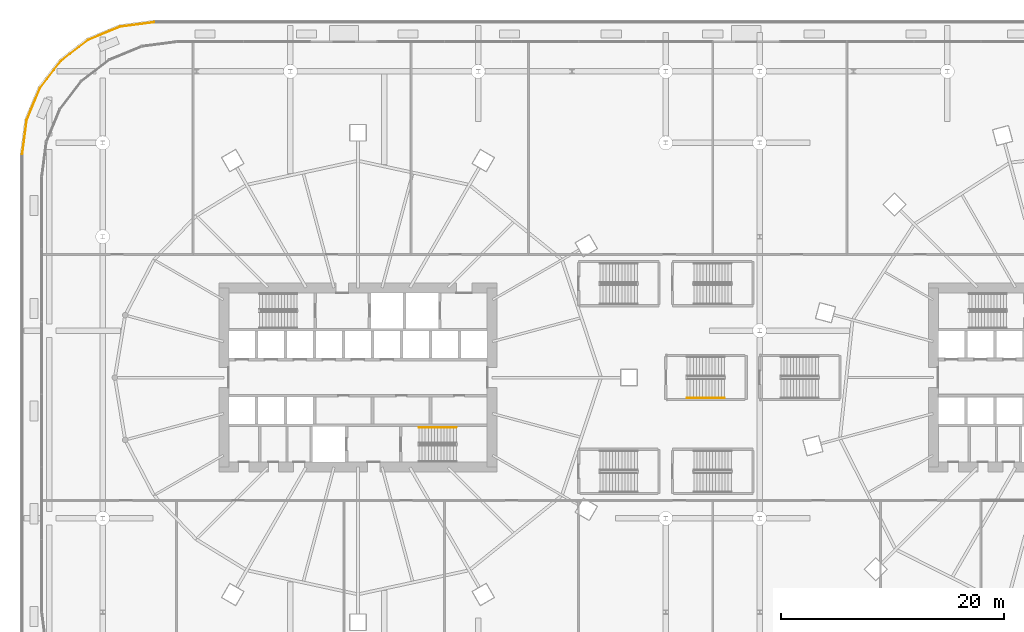
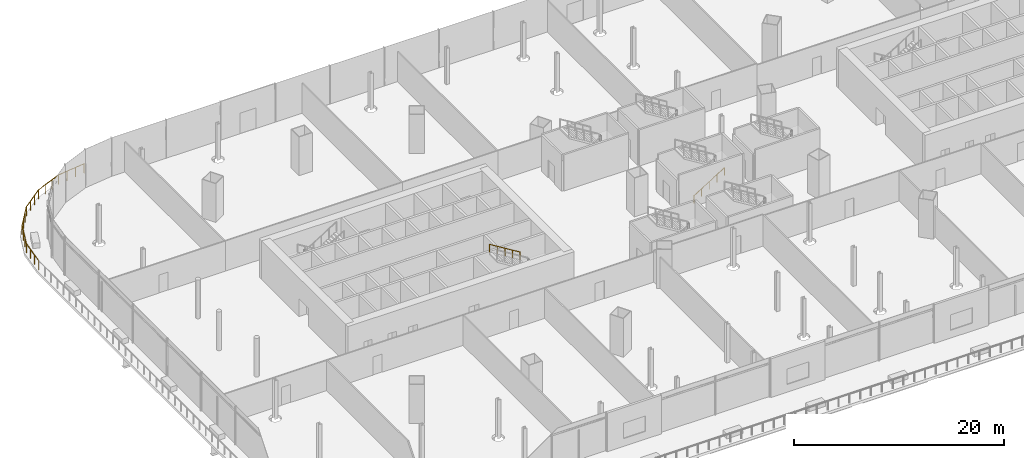
# One storey, part 50 of 56: 3 railings.
"""IFC4 building model written with IfcOpenShell, lengths in metres."""

from ifc_helpers import new_model, si_unit, direction, frame, origin, origin_2d, place, context, subcontext, project, spatial, circle, extrude, material, type_object, element, save


model = new_model("IFC4")

# Units and contexts
model_context = context("Model", 3, precision=1e-05, world=origin(), true_north=direction((0.0, 1.0)))
body_context = subcontext(model_context, "Body", "Model", "MODEL_VIEW")
ifc_project = project(units=[si_unit("LENGTHUNIT", "METRE"), si_unit("AREAUNIT", "SQUARE_METRE"), si_unit("VOLUMEUNIT", "CUBIC_METRE"), si_unit("PLANEANGLEUNIT", "RADIAN"), si_unit("MASSUNIT", "GRAM", prefix="KILO")], contexts=[model_context])

# Site, building, storey
site_placement = place(None, origin())
site = spatial("IfcSite", under=ifc_project, at=site_placement, CompositionType="ELEMENT")
building_placement = place(site_placement, origin())
building = spatial("IfcBuilding", under=site, at=building_placement, Name="Rimbun Link Towers", CompositionType="ELEMENT")
storey_placement = place(building_placement, frame((0.0, 0.0, 16.5)))
storey = spatial("IfcBuildingStorey", under=building, at=storey_placement, Name="L03", CompositionType="ELEMENT", Elevation=16.5)

# Railings
ifc_material_1 = material(Name="Toughened laminated glass, stainless steel grade 316 posts and cap rail", Category="steel")
railing_type_1 = type_object("IfcRailingType", Name="GUARD glass balustrade with stainless cap rail", PredefinedType="BALUSTRADE", material=ifc_material_1)
railing_1_placement = place(storey_placement, frame((-49.98681640625, 31.800048828125, 0.0)))
element("IfcRailing", 1, at=railing_1_placement, inside=storey, type_object=railing_type_1, Name="GUARD glass balustrade", PredefinedType="BALUSTRADE", context=body_context, shape_type="SweptSolid", body=[
    extrude(circle(Radius=0.02392578125, at=origin_2d()), frame((0.0, 0.0, 1.076171875), z_axis=(-0.991443009305, -0.130540259305, 0.0), x_axis=(0.130540259305, -0.991443009305, 0.0)), (0.0, 0.0, 1.0), 3.09326171875),
    extrude(circle(Radius=0.02392578125, at=origin_2d()), frame((-3.06689453125, -0.40380859375, 1.076171875), z_axis=(-0.92386997747, -0.382706499462, 0.0), x_axis=(0.382706499462, -0.92386997747, 0.0)), (0.0, 0.0, 1.0), 3.079833984375),
    extrude(circle(Radius=0.02392578125, at=origin_2d()), frame((-5.912353515625, -1.58251953125, 1.076171875), z_axis=(-0.793398353015, -0.608702762794, 0.0), x_axis=(0.608702762794, -0.793398353015, 0.0)), (0.0, 0.0, 1.0), 3.079833984375),
    extrude(circle(Radius=0.02392578125, at=origin_2d()), frame((-8.35595703125, -3.457275390625, 1.076171875), z_axis=(-0.608702762794, -0.793398353015, 0.0), x_axis=(0.793398353015, -0.608702762794, 0.0)), (0.0, 0.0, 1.0), 3.079833984375),
    extrude(circle(Radius=0.02392578125, at=origin_2d()), frame((-10.230712890625, -5.90087890625, 1.076171875), z_axis=(-0.382706499462, -0.92386997747, 0.0), x_axis=(0.92386997747, -0.382706499462, 0.0)), (0.0, 0.0, 1.0), 3.079833984375),
    extrude(circle(Radius=0.02392578125, at=origin_2d()), frame((-11.409423828125, -8.746337890625, 1.076171875), z_axis=(-0.130540259305, -0.991443009305, 0.0), x_axis=(0.991443009305, -0.130540259305, 0.0)), (0.0, 0.0, 1.0), 3.09326171875),
    extrude(circle(Radius=0.02099609375, at=origin_2d()), origin(), (0.0, 0.0, 1.0), 1.052001953125),
    extrude(circle(Radius=0.02099609375, at=origin_2d()), frame((-1.022216796875, -0.134521484375, 0.0)), (0.0, 0.0, 1.0), 1.052001953125),
    extrude(circle(Radius=0.02099609375, at=origin_2d()), frame((-2.044677734375, -0.269287109375, 0.0)), (0.0, 0.0, 1.0), 1.052001953125),
    extrude(circle(Radius=0.02099609375, at=origin_2d()), frame((-3.06689453125, -0.40380859375, 0.0)), (0.0, 0.0, 1.0), 1.052001953125),
    extrude(circle(Radius=0.02099609375, at=origin_2d()), frame((-4.015380859375, -0.796630859375, 0.0)), (0.0, 0.0, 1.0), 1.052001953125),
    extrude(circle(Radius=0.02099609375, at=origin_2d()), frame((-4.9638671875, -1.189697265625, 0.0)), (0.0, 0.0, 1.0), 1.052001953125),
    extrude(circle(Radius=0.02099609375, at=origin_2d()), frame((-5.912353515625, -1.58251953125, 0.0)), (0.0, 0.0, 1.0), 1.052001953125),
    extrude(circle(Radius=0.02099609375, at=origin_2d()), frame((-6.726806640625, -2.20751953125, 0.0)), (0.0, 0.0, 1.0), 1.052001953125),
    extrude(circle(Radius=0.02099609375, at=origin_2d()), frame((-7.54150390625, -2.832275390625, 0.0)), (0.0, 0.0, 1.0), 1.052001953125),
    extrude(circle(Radius=0.02099609375, at=origin_2d()), frame((-8.35595703125, -3.457275390625, 0.0)), (0.0, 0.0, 1.0), 1.052001953125),
    extrude(circle(Radius=0.02099609375, at=origin_2d()), frame((-8.98095703125, -4.271728515625, 0.0)), (0.0, 0.0, 1.0), 1.052001953125),
    extrude(circle(Radius=0.02099609375, at=origin_2d()), frame((-9.605712890625, -5.08642578125, 0.0)), (0.0, 0.0, 1.0), 1.052001953125),
    extrude(circle(Radius=0.02099609375, at=origin_2d()), frame((-10.230712890625, -5.90087890625, 0.0)), (0.0, 0.0, 1.0), 1.052001953125),
    extrude(circle(Radius=0.02099609375, at=origin_2d()), frame((-10.62353515625, -6.849365234375, 0.0)), (0.0, 0.0, 1.0), 1.052001953125),
    extrude(circle(Radius=0.02099609375, at=origin_2d()), frame((-11.0166015625, -7.7978515625, 0.0)), (0.0, 0.0, 1.0), 1.052001953125),
    extrude(circle(Radius=0.02099609375, at=origin_2d()), frame((-11.409423828125, -8.746337890625, 0.0)), (0.0, 0.0, 1.0), 1.052001953125),
    extrude(circle(Radius=0.02099609375, at=origin_2d()), frame((-11.5439453125, -9.7685546875, 0.0)), (0.0, 0.0, 1.0), 1.052001953125),
    extrude(circle(Radius=0.02099609375, at=origin_2d()), frame((-11.6787109375, -10.791015625, 0.0)), (0.0, 0.0, 1.0), 1.052001953125),
    extrude(circle(Radius=0.02099609375, at=origin_2d()), frame((-11.813232421875, -11.813232421875, 0.0)), (0.0, 0.0, 1.0), 1.052001953125),
])
ifc_material_2 = material(Name="Stainless steel grade 316", Category="steel")
railing_type_2 = type_object("IfcRailingType", Name="Stair handrail", PredefinedType="HANDRAIL", material=ifc_material_2)
railing_2_placement = place(storey_placement, frame((-22.93994140625, -4.449951171875, 2.423095703125)))
element("IfcRailing", 2, at=railing_2_placement, inside=storey, type_object=railing_type_2, Name="L03 ST2 stair handrail 2", PredefinedType="HANDRAIL", context=body_context, shape_type="SweptSolid", body=[
    extrude(circle(Radius=0.02392578125, at=origin_2d()), frame((0.0, 0.0, 0.8759765625), z_axis=(-0.850623216509, 0.0, 0.525775754039), x_axis=(0.0, -1.0, 0.0)), (0.0, 0.0, 1.0), 3.9501953125),
    extrude(circle(Radius=0.02099609375, at=origin_2d()), origin(), (0.0, 0.0, 1.0), 0.851806640625),
    extrude(circle(Radius=0.02099609375, at=origin_2d()), frame((-0.840087890625, 0.0, 0.519287109375)), (0.0, 0.0, 1.0), 0.851806640625),
    extrude(circle(Radius=0.02099609375, at=origin_2d()), frame((-1.68017578125, 0.0, 1.03857421875)), (0.0, 0.0, 1.0), 0.851806640625),
    extrude(circle(Radius=0.02099609375, at=origin_2d()), frame((-2.52001953125, 0.0, 1.5576171875)), (0.0, 0.0, 1.0), 0.851806640625),
    extrude(circle(Radius=0.02099609375, at=origin_2d()), frame((-3.360107421875, 0.0, 2.076904296875)), (0.0, 0.0, 1.0), 0.851806640625),
])
railing_3_placement = place(storey_placement, frame((-2.300048828125, -1.824951171875, 0.173095703125)))
element("IfcRailing", 3, at=railing_3_placement, inside=storey, type_object=railing_type_2, Name="L03 PS6 stair handrail 1", PredefinedType="HANDRAIL", context=body_context, shape_type="SweptSolid", body=[
    extrude(circle(Radius=0.02392578125, at=origin_2d()), frame((0.0, 0.0, 0.8759765625), z_axis=(0.850623216509, 0.0, 0.525775754039), x_axis=(0.0, 1.0, 0.0)), (0.0, 0.0, 1.0), 3.9501953125),
    extrude(circle(Radius=0.02099609375, at=origin_2d()), origin(), (0.0, 0.0, 1.0), 0.851806640625),
    extrude(circle(Radius=0.02099609375, at=origin_2d()), frame((0.840087890625, 0.0, 0.519287109375)), (0.0, 0.0, 1.0), 0.851806640625),
    extrude(circle(Radius=0.02099609375, at=origin_2d()), frame((1.68017578125, 0.0, 1.03857421875)), (0.0, 0.0, 1.0), 0.851806640625),
    extrude(circle(Radius=0.02099609375, at=origin_2d()), frame((2.52001953125, 0.0, 1.5576171875)), (0.0, 0.0, 1.0), 0.851806640625),
    extrude(circle(Radius=0.02099609375, at=origin_2d()), frame((3.360107421875, 0.0, 2.076904296875)), (0.0, 0.0, 1.0), 0.851806640625),
])

save(model, "model.ifc")
